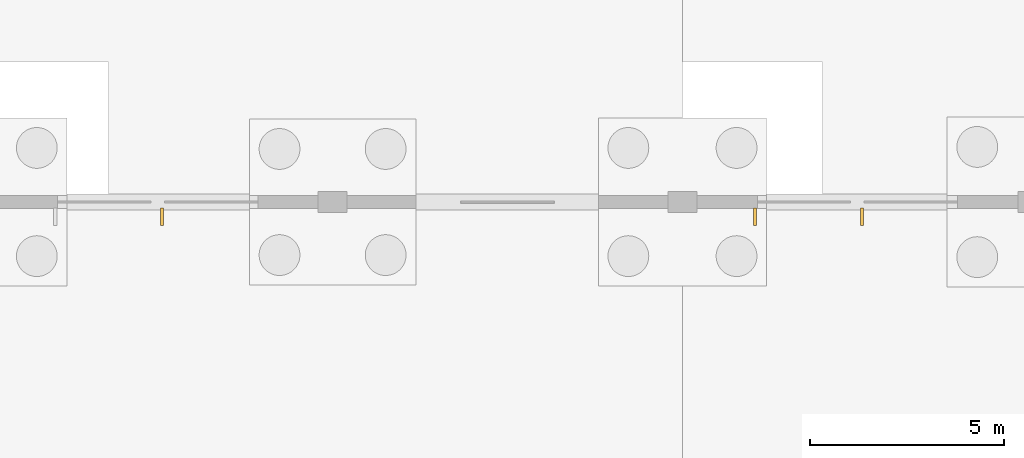
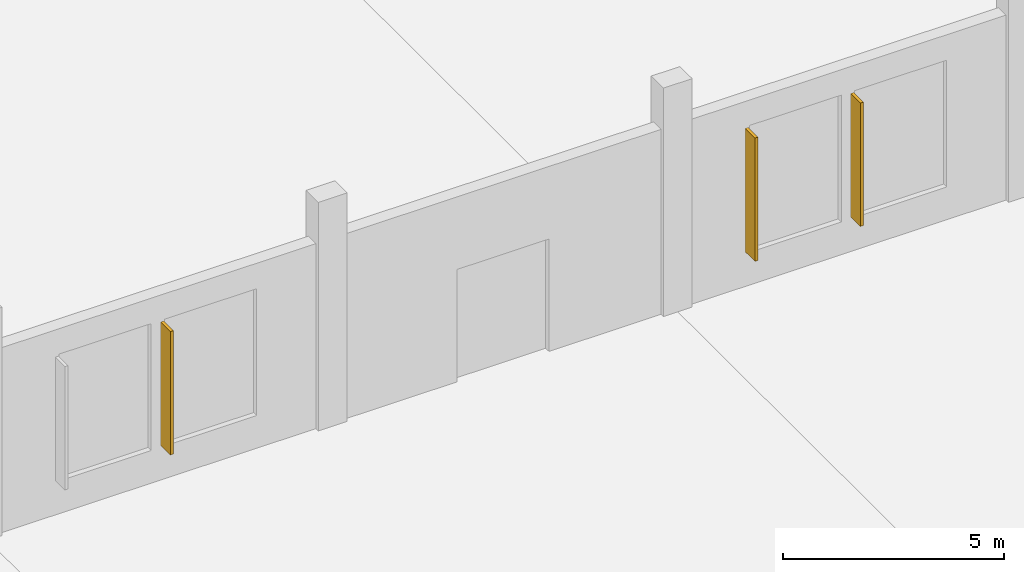
# One storey, part 88 of 99: 3 shading devices.
"""IFC4 building model written with IfcOpenShell, lengths in metres."""

from ifc_helpers import new_model, si_unit, direction, frame, origin, origin_2d, place, context, subcontext, project, spatial, rectangle, extrude, material, type_object, element, save


model = new_model("IFC4")

# Units and contexts
model_context = context("Model", 3, precision=1e-05, world=origin(), true_north=direction((0.0, 1.0)))
body_context = subcontext(model_context, "Body", "Model", "MODEL_VIEW")
ifc_project = project(units=[si_unit("LENGTHUNIT", "METRE"), si_unit("AREAUNIT", "SQUARE_METRE"), si_unit("VOLUMEUNIT", "CUBIC_METRE"), si_unit("PLANEANGLEUNIT", "RADIAN"), si_unit("MASSUNIT", "GRAM", prefix="KILO")], contexts=[model_context])

# Site, building, storey
site_placement = place(None, origin())
site = spatial("IfcSite", under=ifc_project, at=site_placement, CompositionType="ELEMENT")
building_placement = place(site_placement, origin())
building = spatial("IfcBuilding", under=site, at=building_placement, Name="Zacnel Wholesale Market", CompositionType="ELEMENT")
storey_placement = place(building_placement, origin())
storey = spatial("IfcBuildingStorey", under=building, at=storey_placement, Name="L01", CompositionType="ELEMENT", Elevation=0.0)

# Shading devices
ifc_material = material(Name="Honed Yucatan Maya cream limestone", Category="masonry")
shading_device_type = type_object("IfcShadingDeviceType", Name="SHD-FIN-V450", PredefinedType="USERDEFINED", material=ifc_material)
for number, where, z_axis, x_axis, name in (
    (1, (103.614990234375, 95.919921875, 0.949951171875), (0.0, 0.0, 1.0), (1.0, 0.0, 0.0), "Limestone sunshade fin 0074"),
    (2, (118.864990234375, 95.919921875, 0.949951171875), (0.0, 0.0, 1.0), (1.0, 0.0, 0.0), "Limestone sunshade fin 0075"),
    (3, (121.614990234375, 95.919921875, 0.949951171875), (0.0, 0.0, 1.0), (1.0, 0.0, 0.0), "Limestone sunshade fin 0076"),
):
    element("IfcShadingDevice", number, at=place(storey_placement, frame(where, z_axis=z_axis, x_axis=x_axis)), inside=storey, type_object=shading_device_type, Name=name, ObjectType="SUNSHADE", PredefinedType="USERDEFINED", context=body_context, shape_type="SweptSolid", body=[
        extrude(rectangle(XDim=0.080078125, YDim=0.43994140625, at=origin_2d()), origin(), (0.0, 0.0, 1.0), 3.39990234375),
    ])

save(model, "model.ifc")
